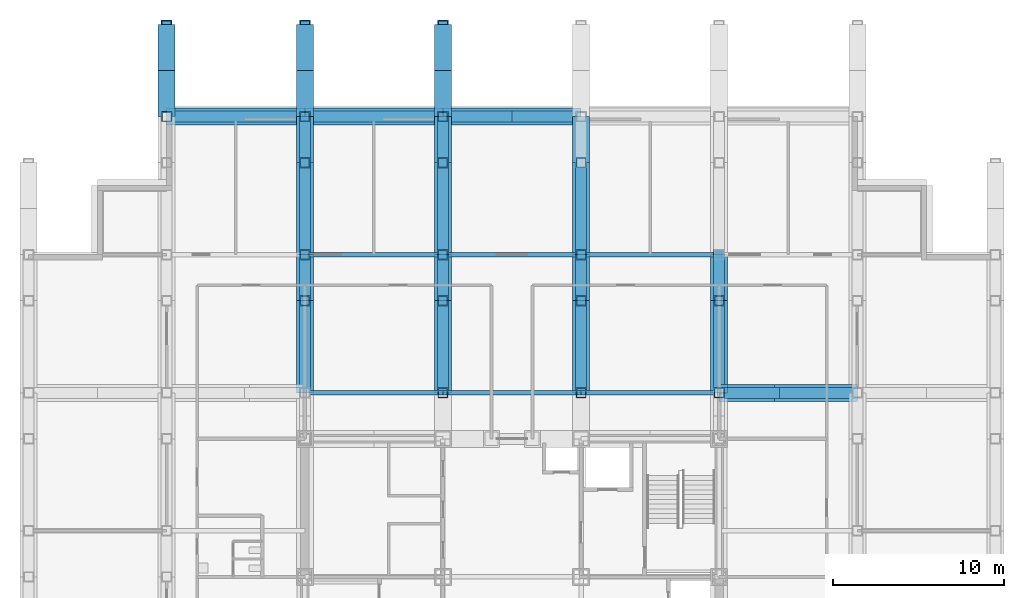
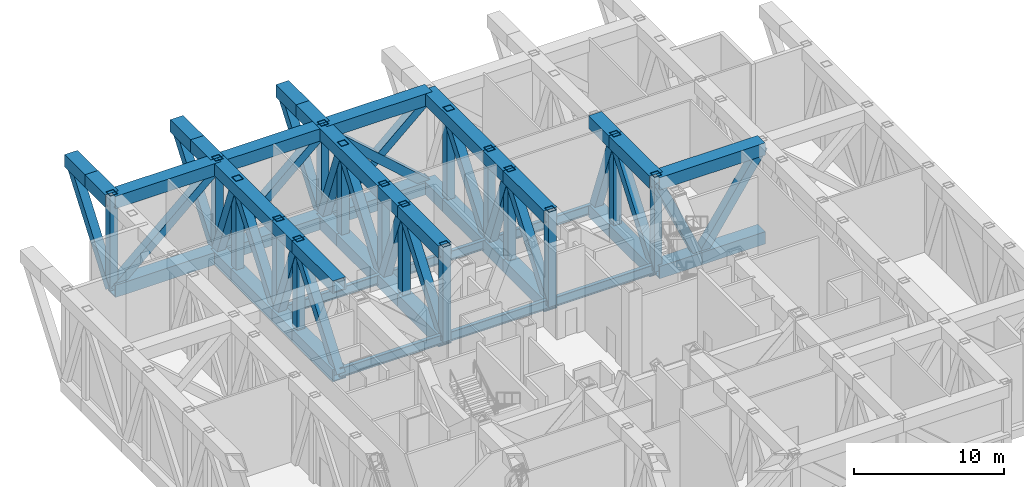
# One storey, part 5 of 13: 78 members, 6 beams.
"""IFC4 building model written with IfcOpenShell, lengths in metres."""

from ifc_helpers import new_model, si_unit, direction, frame, origin, origin_2d, place, context, subcontext, project, spatial, hollow_rectangle, i_section, extrude, material, material_profile, profile_set, type_object, element, save


model = new_model("IFC4")

# Units and contexts
model_context = context("Model", 3, precision=1e-05, world=origin(), true_north=direction((0.0, 1.0)))
body_context = subcontext(model_context, "Body", "Model", "MODEL_VIEW")
ifc_project = project(units=[si_unit("LENGTHUNIT", "METRE"), si_unit("AREAUNIT", "SQUARE_METRE"), si_unit("VOLUMEUNIT", "CUBIC_METRE"), si_unit("PLANEANGLEUNIT", "RADIAN"), si_unit("MASSUNIT", "GRAM", prefix="KILO")], contexts=[model_context])

# Site, building, storey
site_placement = place(None, origin())
site = spatial("IfcSite", under=ifc_project, at=site_placement, CompositionType="ELEMENT")
building_placement = place(site_placement, origin())
building = spatial("IfcBuilding", under=site, at=building_placement, Name="Kopane Lantern Tower", CompositionType="ELEMENT")
storey_placement = place(building_placement, frame((0.0, 0.0, 235.199951171875)))
storey = spatial("IfcBuildingStorey", under=building, at=storey_placement, Name="L61", CompositionType="ELEMENT", Elevation=235.199951171875)

# Beams
ifc_material_1 = material(Name="Steel S355JR", Category="steel")
ifc_material_profile_1 = material_profile(ifc_material_1, i_section(OverallWidth=0.2666015625, OverallDepth=0.76220703125, WebThickness=0.014404296875, FlangeThickness=0.021484375, FilletRadius=0.0166015625, at=origin_2d()), Name="UB 762x267x173")
ifc_profile_set_1 = profile_set([ifc_material_profile_1], Name="Steel S355JR")
beam_type = type_object("IfcBeamType", Name="GIRDER UB 762x267x173", PredefinedType="BEAM", material=ifc_profile_set_1)
for number, where, z_axis, x_axis, name in (
    (1, (16.199951171875, 43.199951171875, -0.631103515625), (1.0, 0.0, 0.0), (0.0, 1.0, 0.0), "Girder L61"),
    (2, (16.199951171875, 51.300048828125, -0.631103515625), (1.0, 0.0, 0.0), (0.0, 1.0, 0.0), "Girder L61"),
):
    element("IfcBeam", number, at=place(storey_placement, frame(where, z_axis=z_axis, x_axis=x_axis)), inside=storey, type_object=beam_type, Name=name, PredefinedType="BEAM", context=body_context, shape_type="SweptSolid", body=[
        extrude(i_section(OverallWidth=0.2666015625, OverallDepth=0.76220703125, WebThickness=0.014404296875, FlangeThickness=0.021484375, FilletRadius=0.0166015625, at=origin_2d()), origin(), (0.0, 0.0, 1.0), 8.10009765625),
    ])
for number, where, z_axis, x_axis, name in (
    (3, (24.300048828125, 43.199951171875, -0.631103515625), (1.0, 0.0, 0.0), (0.0, 1.0, 0.0), "Girder L61"),
    (4, (24.300048828125, 51.300048828125, -0.631103515625), (1.0, 0.0, 0.0), (0.0, 1.0, 0.0), "Girder L61"),
):
    element("IfcBeam", number, at=place(storey_placement, frame(where, z_axis=z_axis, x_axis=x_axis)), inside=storey, type_object=beam_type, Name=name, PredefinedType="BEAM", context=body_context, shape_type="SweptSolid", body=[
        extrude(i_section(OverallWidth=0.2666015625, OverallDepth=0.76220703125, WebThickness=0.014404296875, FlangeThickness=0.021484375, FilletRadius=0.0166015625, at=origin_2d()), origin(), (0.0, 0.0, 1.0), 8.099853515625),
    ])
for number, where, z_axis, x_axis, name in (
    (5, (32.39990234375, 43.199951171875, -0.631103515625), (1.0, 0.0, 0.0), (0.0, 1.0, 0.0), "Girder L61"),
    (6, (32.39990234375, 51.300048828125, -0.631103515625), (1.0, 0.0, 0.0), (0.0, 1.0, 0.0), "Girder L61"),
):
    element("IfcBeam", number, at=place(storey_placement, frame(where, z_axis=z_axis, x_axis=x_axis)), inside=storey, type_object=beam_type, Name=name, PredefinedType="BEAM", context=body_context, shape_type="SweptSolid", body=[
        extrude(i_section(OverallWidth=0.2666015625, OverallDepth=0.76220703125, WebThickness=0.014404296875, FlangeThickness=0.021484375, FilletRadius=0.0166015625, at=origin_2d()), origin(), (0.0, 0.0, 1.0), 8.10009765625),
    ])

# Members
ifc_material_2 = material(Name="Steel S355JR", Category="steel")
ifc_material_profile_2 = material_profile(ifc_material_2, hollow_rectangle(XDim=1.0, YDim=1.0, WallThickness=0.080078125, at=origin_2d()), Name="BOX 1000x1000x80")
ifc_profile_set_2 = profile_set([ifc_material_profile_2], Name="Steel S355JR")
member_type_1 = type_object("IfcMemberType", Name="TRUSS CHORD BOX 1000x1000x80", PredefinedType="CHORD", material=ifc_profile_set_2)
member_1_placement = place(storey_placement, frame((8.10009765625, 59.39990234375, 6.449951171875), z_axis=(0.0, 1.0, 0.0), x_axis=(-1.0, 0.0, 0.0)))
element("IfcMember", 7, at=member_1_placement, inside=storey, type_object=member_type_1, Name="Transfer truss 3 L61 truss chord", PredefinedType="CHORD", context=body_context, shape_type="SweptSolid", body=[
    extrude(hollow_rectangle(XDim=1.0, YDim=1.0, WallThickness=0.080078125, at=origin_2d()), origin(), (0.0, 0.0, 1.0), 2.7001953125),
])
member_2_placement = place(storey_placement, frame((8.10009765625, 62.10009765625, 6.449951171875), z_axis=(0.0, 1.0, 0.0), x_axis=(-1.0, 0.0, 0.0)))
element("IfcMember", 8, at=member_2_placement, inside=storey, type_object=member_type_1, Name="Transfer truss 3 L61 truss chord", PredefinedType="CHORD", context=body_context, shape_type="SweptSolid", body=[
    extrude(hollow_rectangle(XDim=1.0, YDim=1.0, WallThickness=0.080078125, at=origin_2d()), origin(), (0.0, 0.0, 1.0), 2.699951171875),
])
member_3_placement = place(storey_placement, frame((16.199951171875, 43.199951171875, -0.75), z_axis=(0.0, 1.0, 0.0), x_axis=(-1.0, 0.0, 0.0)))
element("IfcMember", 9, at=member_3_placement, inside=storey, type_object=member_type_1, Name="Transfer truss 4 L61 truss chord", PredefinedType="CHORD", context=body_context, shape_type="SweptSolid", body=[
    extrude(hollow_rectangle(XDim=1.0, YDim=1.0, WallThickness=0.080078125, at=origin_2d()), origin(), (0.0, 0.0, 1.0), 5.400146484375),
])
member_4_placement = place(storey_placement, frame((16.199951171875, 48.60009765625, -0.75), z_axis=(0.0, 1.0, 0.0), x_axis=(-1.0, 0.0, 0.0)))
element("IfcMember", 10, at=member_4_placement, inside=storey, type_object=member_type_1, Name="Transfer truss 4 L61 truss chord", PredefinedType="CHORD", context=body_context, shape_type="SweptSolid", body=[
    extrude(hollow_rectangle(XDim=1.0, YDim=1.0, WallThickness=0.080078125, at=origin_2d()), origin(), (0.0, 0.0, 1.0), 2.699951171875),
])
member_5_placement = place(storey_placement, frame((16.199951171875, 51.300048828125, -0.75), z_axis=(0.0, 1.0, 0.0), x_axis=(-1.0, 0.0, 0.0)))
element("IfcMember", 11, at=member_5_placement, inside=storey, type_object=member_type_1, Name="Transfer truss 4 L61 truss chord", PredefinedType="CHORD", context=body_context, shape_type="SweptSolid", body=[
    extrude(hollow_rectangle(XDim=1.0, YDim=1.0, WallThickness=0.080078125, at=origin_2d()), origin(), (0.0, 0.0, 1.0), 5.39990234375),
])
member_6_placement = place(storey_placement, frame((16.199951171875, 56.699951171875, -0.75), z_axis=(0.0, 1.0, 0.0), x_axis=(-1.0, 0.0, 0.0)))
element("IfcMember", 12, at=member_6_placement, inside=storey, type_object=member_type_1, Name="Transfer truss 4 L61 truss chord", PredefinedType="CHORD", context=body_context, shape_type="SweptSolid", body=[
    extrude(hollow_rectangle(XDim=1.0, YDim=1.0, WallThickness=0.080078125, at=origin_2d()), origin(), (0.0, 0.0, 1.0), 2.699951171875),
])
member_7_placement = place(storey_placement, frame((16.199951171875, 43.199951171875, 6.449951171875), z_axis=(0.0, 1.0, 0.0), x_axis=(-1.0, 0.0, 0.0)))
element("IfcMember", 13, at=member_7_placement, inside=storey, type_object=member_type_1, Name="Transfer truss 4 L61 truss chord", PredefinedType="CHORD", context=body_context, shape_type="SweptSolid", body=[
    extrude(hollow_rectangle(XDim=1.0, YDim=1.0, WallThickness=0.080078125, at=origin_2d()), origin(), (0.0, 0.0, 1.0), 5.400146484375),
])
member_8_placement = place(storey_placement, frame((16.199951171875, 48.60009765625, 6.449951171875), z_axis=(0.0, 1.0, 0.0), x_axis=(-1.0, 0.0, 0.0)))
element("IfcMember", 14, at=member_8_placement, inside=storey, type_object=member_type_1, Name="Transfer truss 4 L61 truss chord", PredefinedType="CHORD", context=body_context, shape_type="SweptSolid", body=[
    extrude(hollow_rectangle(XDim=1.0, YDim=1.0, WallThickness=0.080078125, at=origin_2d()), origin(), (0.0, 0.0, 1.0), 2.699951171875),
])
member_9_placement = place(storey_placement, frame((16.199951171875, 51.300048828125, 6.449951171875), z_axis=(0.0, 1.0, 0.0), x_axis=(-1.0, 0.0, 0.0)))
element("IfcMember", 15, at=member_9_placement, inside=storey, type_object=member_type_1, Name="Transfer truss 4 L61 truss chord", PredefinedType="CHORD", context=body_context, shape_type="SweptSolid", body=[
    extrude(hollow_rectangle(XDim=1.0, YDim=1.0, WallThickness=0.080078125, at=origin_2d()), origin(), (0.0, 0.0, 1.0), 8.099853515625),
])
member_10_placement = place(storey_placement, frame((16.199951171875, 59.39990234375, 6.449951171875), z_axis=(0.0, 1.0, 0.0), x_axis=(-1.0, 0.0, 0.0)))
element("IfcMember", 16, at=member_10_placement, inside=storey, type_object=member_type_1, Name="Transfer truss 4 L61 truss chord", PredefinedType="CHORD", context=body_context, shape_type="SweptSolid", body=[
    extrude(hollow_rectangle(XDim=1.0, YDim=1.0, WallThickness=0.080078125, at=origin_2d()), origin(), (0.0, 0.0, 1.0), 2.7001953125),
])
member_11_placement = place(storey_placement, frame((16.199951171875, 62.10009765625, 6.449951171875), z_axis=(0.0, 1.0, 0.0), x_axis=(-1.0, 0.0, 0.0)))
element("IfcMember", 17, at=member_11_placement, inside=storey, type_object=member_type_1, Name="Transfer truss 4 L61 truss chord", PredefinedType="CHORD", context=body_context, shape_type="SweptSolid", body=[
    extrude(hollow_rectangle(XDim=1.0, YDim=1.0, WallThickness=0.080078125, at=origin_2d()), origin(), (0.0, 0.0, 1.0), 2.699951171875),
])
member_12_placement = place(storey_placement, frame((24.300048828125, 43.199951171875, -0.75), z_axis=(0.0, 1.0, 0.0), x_axis=(-1.0, 0.0, 0.0)))
element("IfcMember", 18, at=member_12_placement, inside=storey, type_object=member_type_1, Name="Transfer truss 5 L61 truss chord", PredefinedType="CHORD", context=body_context, shape_type="SweptSolid", body=[
    extrude(hollow_rectangle(XDim=1.0, YDim=1.0, WallThickness=0.080078125, at=origin_2d()), origin(), (0.0, 0.0, 1.0), 5.400146484375),
])
member_13_placement = place(storey_placement, frame((24.300048828125, 48.60009765625, -0.75), z_axis=(0.0, 1.0, 0.0), x_axis=(-1.0, 0.0, 0.0)))
element("IfcMember", 19, at=member_13_placement, inside=storey, type_object=member_type_1, Name="Transfer truss 5 L61 truss chord", PredefinedType="CHORD", context=body_context, shape_type="SweptSolid", body=[
    extrude(hollow_rectangle(XDim=1.0, YDim=1.0, WallThickness=0.080078125, at=origin_2d()), origin(), (0.0, 0.0, 1.0), 2.699951171875),
])
member_14_placement = place(storey_placement, frame((24.300048828125, 51.300048828125, -0.75), z_axis=(0.0, 1.0, 0.0), x_axis=(-1.0, 0.0, 0.0)))
element("IfcMember", 20, at=member_14_placement, inside=storey, type_object=member_type_1, Name="Transfer truss 5 L61 truss chord", PredefinedType="CHORD", context=body_context, shape_type="SweptSolid", body=[
    extrude(hollow_rectangle(XDim=1.0, YDim=1.0, WallThickness=0.080078125, at=origin_2d()), origin(), (0.0, 0.0, 1.0), 5.39990234375),
])
member_15_placement = place(storey_placement, frame((24.300048828125, 56.699951171875, -0.75), z_axis=(0.0, 1.0, 0.0), x_axis=(-1.0, 0.0, 0.0)))
element("IfcMember", 21, at=member_15_placement, inside=storey, type_object=member_type_1, Name="Transfer truss 5 L61 truss chord", PredefinedType="CHORD", context=body_context, shape_type="SweptSolid", body=[
    extrude(hollow_rectangle(XDim=1.0, YDim=1.0, WallThickness=0.080078125, at=origin_2d()), origin(), (0.0, 0.0, 1.0), 2.699951171875),
])
member_16_placement = place(storey_placement, frame((24.300048828125, 43.199951171875, 6.449951171875), z_axis=(0.0, 1.0, 0.0), x_axis=(-1.0, 0.0, 0.0)))
element("IfcMember", 22, at=member_16_placement, inside=storey, type_object=member_type_1, Name="Transfer truss 5 L61 truss chord", PredefinedType="CHORD", context=body_context, shape_type="SweptSolid", body=[
    extrude(hollow_rectangle(XDim=1.0, YDim=1.0, WallThickness=0.080078125, at=origin_2d()), origin(), (0.0, 0.0, 1.0), 5.400146484375),
])
member_17_placement = place(storey_placement, frame((24.300048828125, 48.60009765625, 6.449951171875), z_axis=(0.0, 1.0, 0.0), x_axis=(-1.0, 0.0, 0.0)))
element("IfcMember", 23, at=member_17_placement, inside=storey, type_object=member_type_1, Name="Transfer truss 5 L61 truss chord", PredefinedType="CHORD", context=body_context, shape_type="SweptSolid", body=[
    extrude(hollow_rectangle(XDim=1.0, YDim=1.0, WallThickness=0.080078125, at=origin_2d()), origin(), (0.0, 0.0, 1.0), 2.699951171875),
])
member_18_placement = place(storey_placement, frame((24.300048828125, 51.300048828125, 6.449951171875), z_axis=(0.0, 1.0, 0.0), x_axis=(-1.0, 0.0, 0.0)))
element("IfcMember", 24, at=member_18_placement, inside=storey, type_object=member_type_1, Name="Transfer truss 5 L61 truss chord", PredefinedType="CHORD", context=body_context, shape_type="SweptSolid", body=[
    extrude(hollow_rectangle(XDim=1.0, YDim=1.0, WallThickness=0.080078125, at=origin_2d()), origin(), (0.0, 0.0, 1.0), 8.099853515625),
])
member_19_placement = place(storey_placement, frame((24.300048828125, 59.39990234375, 6.449951171875), z_axis=(0.0, 1.0, 0.0), x_axis=(-1.0, 0.0, 0.0)))
element("IfcMember", 25, at=member_19_placement, inside=storey, type_object=member_type_1, Name="Transfer truss 5 L61 truss chord", PredefinedType="CHORD", context=body_context, shape_type="SweptSolid", body=[
    extrude(hollow_rectangle(XDim=1.0, YDim=1.0, WallThickness=0.080078125, at=origin_2d()), origin(), (0.0, 0.0, 1.0), 2.7001953125),
])
member_20_placement = place(storey_placement, frame((24.300048828125, 62.10009765625, 6.449951171875), z_axis=(0.0, 1.0, 0.0), x_axis=(-1.0, 0.0, 0.0)))
element("IfcMember", 26, at=member_20_placement, inside=storey, type_object=member_type_1, Name="Transfer truss 5 L61 truss chord", PredefinedType="CHORD", context=body_context, shape_type="SweptSolid", body=[
    extrude(hollow_rectangle(XDim=1.0, YDim=1.0, WallThickness=0.080078125, at=origin_2d()), origin(), (0.0, 0.0, 1.0), 2.699951171875),
])
member_21_placement = place(storey_placement, frame((32.39990234375, 43.199951171875, -0.75), z_axis=(0.0, 1.0, 0.0), x_axis=(-1.0, 0.0, 0.0)))
element("IfcMember", 27, at=member_21_placement, inside=storey, type_object=member_type_1, Name="Transfer truss 6 L61 truss chord", PredefinedType="CHORD", context=body_context, shape_type="SweptSolid", body=[
    extrude(hollow_rectangle(XDim=1.0, YDim=1.0, WallThickness=0.080078125, at=origin_2d()), origin(), (0.0, 0.0, 1.0), 5.400146484375),
])
member_22_placement = place(storey_placement, frame((32.39990234375, 48.60009765625, -0.75), z_axis=(0.0, 1.0, 0.0), x_axis=(-1.0, 0.0, 0.0)))
element("IfcMember", 28, at=member_22_placement, inside=storey, type_object=member_type_1, Name="Transfer truss 6 L61 truss chord", PredefinedType="CHORD", context=body_context, shape_type="SweptSolid", body=[
    extrude(hollow_rectangle(XDim=1.0, YDim=1.0, WallThickness=0.080078125, at=origin_2d()), origin(), (0.0, 0.0, 1.0), 2.699951171875),
])
member_23_placement = place(storey_placement, frame((32.39990234375, 51.300048828125, -0.75), z_axis=(0.0, 1.0, 0.0), x_axis=(-1.0, 0.0, 0.0)))
element("IfcMember", 29, at=member_23_placement, inside=storey, type_object=member_type_1, Name="Transfer truss 6 L61 truss chord", PredefinedType="CHORD", context=body_context, shape_type="SweptSolid", body=[
    extrude(hollow_rectangle(XDim=1.0, YDim=1.0, WallThickness=0.080078125, at=origin_2d()), origin(), (0.0, 0.0, 1.0), 5.39990234375),
])
member_24_placement = place(storey_placement, frame((32.39990234375, 56.699951171875, -0.75), z_axis=(0.0, 1.0, 0.0), x_axis=(-1.0, 0.0, 0.0)))
element("IfcMember", 30, at=member_24_placement, inside=storey, type_object=member_type_1, Name="Transfer truss 6 L61 truss chord", PredefinedType="CHORD", context=body_context, shape_type="SweptSolid", body=[
    extrude(hollow_rectangle(XDim=1.0, YDim=1.0, WallThickness=0.080078125, at=origin_2d()), origin(), (0.0, 0.0, 1.0), 2.699951171875),
])
member_25_placement = place(storey_placement, frame((32.39990234375, 43.199951171875, 6.449951171875), z_axis=(0.0, 1.0, 0.0), x_axis=(-1.0, 0.0, 0.0)))
element("IfcMember", 31, at=member_25_placement, inside=storey, type_object=member_type_1, Name="Transfer truss 6 L61 truss chord", PredefinedType="CHORD", context=body_context, shape_type="SweptSolid", body=[
    extrude(hollow_rectangle(XDim=1.0, YDim=1.0, WallThickness=0.080078125, at=origin_2d()), origin(), (0.0, 0.0, 1.0), 5.400146484375),
])
member_26_placement = place(storey_placement, frame((32.39990234375, 48.60009765625, 6.449951171875), z_axis=(0.0, 1.0, 0.0), x_axis=(-1.0, 0.0, 0.0)))
element("IfcMember", 32, at=member_26_placement, inside=storey, type_object=member_type_1, Name="Transfer truss 6 L61 truss chord", PredefinedType="CHORD", context=body_context, shape_type="SweptSolid", body=[
    extrude(hollow_rectangle(XDim=1.0, YDim=1.0, WallThickness=0.080078125, at=origin_2d()), origin(), (0.0, 0.0, 1.0), 2.699951171875),
])
member_27_placement = place(storey_placement, frame((32.39990234375, 51.300048828125, 6.449951171875), z_axis=(0.0, 1.0, 0.0), x_axis=(-1.0, 0.0, 0.0)))
element("IfcMember", 33, at=member_27_placement, inside=storey, type_object=member_type_1, Name="Transfer truss 6 L61 truss chord", PredefinedType="CHORD", context=body_context, shape_type="SweptSolid", body=[
    extrude(hollow_rectangle(XDim=1.0, YDim=1.0, WallThickness=0.080078125, at=origin_2d()), origin(), (0.0, 0.0, 1.0), 8.099853515625),
])
member_28_placement = place(storey_placement, frame((40.5, 43.199951171875, -0.75), z_axis=(0.0, 1.0, 0.0), x_axis=(-1.0, 0.0, 0.0)))
element("IfcMember", 34, at=member_28_placement, inside=storey, type_object=member_type_1, Name="Transfer truss 7 L61 truss chord", PredefinedType="CHORD", context=body_context, shape_type="SweptSolid", body=[
    extrude(hollow_rectangle(XDim=1.0, YDim=1.0, WallThickness=0.080078125, at=origin_2d()), origin(), (0.0, 0.0, 1.0), 5.400146484375),
])
member_29_placement = place(storey_placement, frame((40.5, 48.60009765625, -0.75), z_axis=(0.0, 1.0, 0.0), x_axis=(-1.0, 0.0, 0.0)))
element("IfcMember", 35, at=member_29_placement, inside=storey, type_object=member_type_1, Name="Transfer truss 7 L61 truss chord", PredefinedType="CHORD", context=body_context, shape_type="SweptSolid", body=[
    extrude(hollow_rectangle(XDim=1.0, YDim=1.0, WallThickness=0.080078125, at=origin_2d()), origin(), (0.0, 0.0, 1.0), 2.699951171875),
])
member_30_placement = place(storey_placement, frame((40.5, 43.199951171875, 6.449951171875), z_axis=(0.0, 1.0, 0.0), x_axis=(-1.0, 0.0, 0.0)))
element("IfcMember", 36, at=member_30_placement, inside=storey, type_object=member_type_1, Name="Transfer truss 7 L61 truss chord", PredefinedType="CHORD", context=body_context, shape_type="SweptSolid", body=[
    extrude(hollow_rectangle(XDim=1.0, YDim=1.0, WallThickness=0.080078125, at=origin_2d()), origin(), (0.0, 0.0, 1.0), 5.400146484375),
])
member_31_placement = place(storey_placement, frame((40.5, 48.60009765625, 6.449951171875), z_axis=(0.0, 1.0, 0.0), x_axis=(-1.0, 0.0, 0.0)))
element("IfcMember", 37, at=member_31_placement, inside=storey, type_object=member_type_1, Name="Transfer truss 7 L61 truss chord", PredefinedType="CHORD", context=body_context, shape_type="SweptSolid", body=[
    extrude(hollow_rectangle(XDim=1.0, YDim=1.0, WallThickness=0.080078125, at=origin_2d()), origin(), (0.0, 0.0, 1.0), 2.699951171875),
])
for number, where, z_axis, x_axis, name in (
    (38, (8.10009765625, 59.39990234375, -0.75), (1.0, 0.0, 0.0), (0.0, 1.0, 0.0), "Belt truss N L61 truss chord"),
    (39, (8.10009765625, 59.39990234375, 6.449951171875), (1.0, 0.0, 0.0), (0.0, 1.0, 0.0), "Belt truss N L61 truss chord"),
):
    element("IfcMember", number, at=place(storey_placement, frame(where, z_axis=z_axis, x_axis=x_axis)), inside=storey, type_object=member_type_1, Name=name, PredefinedType="CHORD", context=body_context, shape_type="SweptSolid", body=[
        extrude(hollow_rectangle(XDim=1.0, YDim=1.0, WallThickness=0.080078125, at=origin_2d()), origin(), (0.0, 0.0, 1.0), 8.099853515625),
    ])
for number, where, z_axis, x_axis, name in (
    (40, (16.199951171875, 59.39990234375, -0.75), (1.0, 0.0, 0.0), (0.0, 1.0, 0.0), "Belt truss N L61 truss chord"),
    (41, (16.199951171875, 59.39990234375, 6.449951171875), (1.0, 0.0, 0.0), (0.0, 1.0, 0.0), "Belt truss N L61 truss chord"),
):
    element("IfcMember", number, at=place(storey_placement, frame(where, z_axis=z_axis, x_axis=x_axis)), inside=storey, type_object=member_type_1, Name=name, PredefinedType="CHORD", context=body_context, shape_type="SweptSolid", body=[
        extrude(hollow_rectangle(XDim=1.0, YDim=1.0, WallThickness=0.080078125, at=origin_2d()), origin(), (0.0, 0.0, 1.0), 8.10009765625),
    ])
for number, where, z_axis, x_axis, name in (
    (42, (24.300048828125, 59.39990234375, -0.75), (1.0, 0.0, 0.0), (0.0, 1.0, 0.0), "Belt truss N L61 truss chord"),
    (43, (24.300048828125, 59.39990234375, 6.449951171875), (1.0, 0.0, 0.0), (0.0, 1.0, 0.0), "Belt truss N L61 truss chord"),
):
    element("IfcMember", number, at=place(storey_placement, frame(where, z_axis=z_axis, x_axis=x_axis)), inside=storey, type_object=member_type_1, Name=name, PredefinedType="CHORD", context=body_context, shape_type="SweptSolid", body=[
        extrude(hollow_rectangle(XDim=1.0, YDim=1.0, WallThickness=0.080078125, at=origin_2d()), origin(), (0.0, 0.0, 1.0), 8.099853515625),
    ])
member_32_placement = place(storey_placement, frame((48.60009765625, 43.199951171875, -0.75), z_axis=(-1.0, 0.0, 0.0), x_axis=(0.0, -1.0, 0.0)))
element("IfcMember", 44, at=member_32_placement, inside=storey, type_object=member_type_1, Name="Outrigger truss E43.2 L61 truss chord", PredefinedType="CHORD", context=body_context, shape_type="SweptSolid", body=[
    extrude(hollow_rectangle(XDim=1.0, YDim=1.0, WallThickness=0.080078125, at=origin_2d()), origin(), (0.0, 0.0, 1.0), 4.860107421875),
])
member_33_placement = place(storey_placement, frame((43.739990234375, 43.199951171875, -0.75), z_axis=(-1.0, 0.0, 0.0), x_axis=(0.0, -1.0, 0.0)))
element("IfcMember", 45, at=member_33_placement, inside=storey, type_object=member_type_1, Name="Outrigger truss E43.2 L61 truss chord", PredefinedType="CHORD", context=body_context, shape_type="SweptSolid", body=[
    extrude(hollow_rectangle(XDim=1.0, YDim=1.0, WallThickness=0.080078125, at=origin_2d()), origin(), (0.0, 0.0, 1.0), 3.239990234375),
])
member_34_placement = place(storey_placement, frame((48.60009765625, 43.199951171875, 6.449951171875), z_axis=(-1.0, 0.0, 0.0), x_axis=(0.0, -1.0, 0.0)))
element("IfcMember", 46, at=member_34_placement, inside=storey, type_object=member_type_1, Name="Outrigger truss E43.2 L61 truss chord", PredefinedType="CHORD", context=body_context, shape_type="SweptSolid", body=[
    extrude(hollow_rectangle(XDim=1.0, YDim=1.0, WallThickness=0.080078125, at=origin_2d()), origin(), (0.0, 0.0, 1.0), 8.10009765625),
])
ifc_material_3 = material(Name="Steel S355JR", Category="steel")
ifc_material_profile_3 = material_profile(ifc_material_3, hollow_rectangle(XDim=0.64990234375, YDim=0.64990234375, WallThickness=0.06005859375, at=origin_2d()), Name="BOX 650x650x60")
ifc_profile_set_3 = profile_set([ifc_material_profile_3], Name="Steel S355JR")
member_type_2 = type_object("IfcMemberType", Name="TRUSS DIAGONAL BOX 650x650x60", PredefinedType="BRACE", material=ifc_profile_set_3)
for number, where, z_axis, x_axis, name in (
    (47, (8.10009765625, 59.39990234375, -0.75), (0.0, 0.600013020683, 0.799990234322), (-1.0, 0.0, 0.0), "Transfer truss 3 L61 truss diagonal"),
    (48, (16.199951171875, 43.199951171875, -0.75), (0.0, 0.600013020683, 0.799990234322), (-1.0, 0.0, 0.0), "Transfer truss 4 L61 truss diagonal"),
):
    element("IfcMember", number, at=place(storey_placement, frame(where, z_axis=z_axis, x_axis=x_axis)), inside=storey, type_object=member_type_2, Name=name, PredefinedType="BRACE", context=body_context, shape_type="SweptSolid", body=[
        extrude(hollow_rectangle(XDim=0.64990234375, YDim=0.64990234375, WallThickness=0.06005859375, at=origin_2d()), origin(), (0.0, 0.0, 1.0), 9.0),
    ])
member_35_placement = place(storey_placement, frame((16.199951171875, 51.300048828125, -0.75), z_axis=(0.0, -0.351119962166, 0.936330482345), x_axis=(1.0, 0.0, 0.0)))
element("IfcMember", 49, at=member_35_placement, inside=storey, type_object=member_type_2, Name="Transfer truss 4 L61 truss diagonal", PredefinedType="BRACE", context=body_context, shape_type="SweptSolid", body=[
    extrude(hollow_rectangle(XDim=0.64990234375, YDim=0.64990234375, WallThickness=0.06005859375, at=origin_2d()), origin(), (0.0, 0.0, 1.0), 7.689453125),
])
member_36_placement = place(storey_placement, frame((16.199951171875, 51.300048828125, -0.75), z_axis=(0.0, 0.599995659666, 0.800003255232), x_axis=(-1.0, 0.0, 0.0)))
element("IfcMember", 50, at=member_36_placement, inside=storey, type_object=member_type_2, Name="Transfer truss 4 L61 truss diagonal", PredefinedType="BRACE", context=body_context, shape_type="SweptSolid", body=[
    extrude(hollow_rectangle(XDim=0.64990234375, YDim=0.64990234375, WallThickness=0.06005859375, at=origin_2d()), origin(), (0.0, 0.0, 1.0), 9.0),
])
member_37_placement = place(storey_placement, frame((16.199951171875, 59.39990234375, -0.75), z_axis=(0.0, -0.351119962166, 0.936330482345), x_axis=(1.0, 0.0, 0.0)))
element("IfcMember", 51, at=member_37_placement, inside=storey, type_object=member_type_2, Name="Transfer truss 4 L61 truss diagonal", PredefinedType="BRACE", context=body_context, shape_type="SweptSolid", body=[
    extrude(hollow_rectangle(XDim=0.64990234375, YDim=0.64990234375, WallThickness=0.06005859375, at=origin_2d()), origin(), (0.0, 0.0, 1.0), 7.689453125),
])
for number, where, z_axis, x_axis, name in (
    (52, (16.199951171875, 59.39990234375, -0.75), (0.0, 0.600013020683, 0.799990234322), (-1.0, 0.0, 0.0), "Transfer truss 4 L61 truss diagonal"),
    (53, (24.300048828125, 43.199951171875, -0.75), (0.0, 0.600013020683, 0.799990234322), (-1.0, 0.0, 0.0), "Transfer truss 5 L61 truss diagonal"),
):
    element("IfcMember", number, at=place(storey_placement, frame(where, z_axis=z_axis, x_axis=x_axis)), inside=storey, type_object=member_type_2, Name=name, PredefinedType="BRACE", context=body_context, shape_type="SweptSolid", body=[
        extrude(hollow_rectangle(XDim=0.64990234375, YDim=0.64990234375, WallThickness=0.06005859375, at=origin_2d()), origin(), (0.0, 0.0, 1.0), 9.0),
    ])
member_38_placement = place(storey_placement, frame((24.300048828125, 51.300048828125, -0.75), z_axis=(0.0, -0.351119962166, 0.936330482345), x_axis=(1.0, 0.0, 0.0)))
element("IfcMember", 54, at=member_38_placement, inside=storey, type_object=member_type_2, Name="Transfer truss 5 L61 truss diagonal", PredefinedType="BRACE", context=body_context, shape_type="SweptSolid", body=[
    extrude(hollow_rectangle(XDim=0.64990234375, YDim=0.64990234375, WallThickness=0.06005859375, at=origin_2d()), origin(), (0.0, 0.0, 1.0), 7.689453125),
])
member_39_placement = place(storey_placement, frame((24.300048828125, 51.300048828125, -0.75), z_axis=(0.0, 0.599995659666, 0.800003255232), x_axis=(-1.0, 0.0, 0.0)))
element("IfcMember", 55, at=member_39_placement, inside=storey, type_object=member_type_2, Name="Transfer truss 5 L61 truss diagonal", PredefinedType="BRACE", context=body_context, shape_type="SweptSolid", body=[
    extrude(hollow_rectangle(XDim=0.64990234375, YDim=0.64990234375, WallThickness=0.06005859375, at=origin_2d()), origin(), (0.0, 0.0, 1.0), 9.0),
])
member_40_placement = place(storey_placement, frame((24.300048828125, 59.39990234375, -0.75), z_axis=(0.0, -0.351119962166, 0.936330482345), x_axis=(1.0, 0.0, 0.0)))
element("IfcMember", 56, at=member_40_placement, inside=storey, type_object=member_type_2, Name="Transfer truss 5 L61 truss diagonal", PredefinedType="BRACE", context=body_context, shape_type="SweptSolid", body=[
    extrude(hollow_rectangle(XDim=0.64990234375, YDim=0.64990234375, WallThickness=0.06005859375, at=origin_2d()), origin(), (0.0, 0.0, 1.0), 7.689453125),
])
for number, where, z_axis, x_axis, name in (
    (57, (24.300048828125, 59.39990234375, -0.75), (0.0, 0.600013020683, 0.799990234322), (-1.0, 0.0, 0.0), "Transfer truss 5 L61 truss diagonal"),
    (58, (32.39990234375, 43.199951171875, -0.75), (0.0, 0.600013020683, 0.799990234322), (-1.0, 0.0, 0.0), "Transfer truss 6 L61 truss diagonal"),
):
    element("IfcMember", number, at=place(storey_placement, frame(where, z_axis=z_axis, x_axis=x_axis)), inside=storey, type_object=member_type_2, Name=name, PredefinedType="BRACE", context=body_context, shape_type="SweptSolid", body=[
        extrude(hollow_rectangle(XDim=0.64990234375, YDim=0.64990234375, WallThickness=0.06005859375, at=origin_2d()), origin(), (0.0, 0.0, 1.0), 9.0),
    ])
member_41_placement = place(storey_placement, frame((32.39990234375, 51.300048828125, -0.75), z_axis=(0.0, -0.351119962166, 0.936330482345), x_axis=(1.0, 0.0, 0.0)))
element("IfcMember", 59, at=member_41_placement, inside=storey, type_object=member_type_2, Name="Transfer truss 6 L61 truss diagonal", PredefinedType="BRACE", context=body_context, shape_type="SweptSolid", body=[
    extrude(hollow_rectangle(XDim=0.64990234375, YDim=0.64990234375, WallThickness=0.06005859375, at=origin_2d()), origin(), (0.0, 0.0, 1.0), 7.689453125),
])
for number, where, z_axis, x_axis, name in (
    (60, (32.39990234375, 51.300048828125, -0.75), (0.0, 0.599995659666, 0.800003255232), (-1.0, 0.0, 0.0), "Transfer truss 6 L61 truss diagonal"),
    (61, (40.5, 43.199951171875, -0.75), (0.0, 0.600013020683, 0.799990234322), (-1.0, 0.0, 0.0), "Transfer truss 7 L61 truss diagonal"),
):
    element("IfcMember", number, at=place(storey_placement, frame(where, z_axis=z_axis, x_axis=x_axis)), inside=storey, type_object=member_type_2, Name=name, PredefinedType="BRACE", context=body_context, shape_type="SweptSolid", body=[
        extrude(hollow_rectangle(XDim=0.64990234375, YDim=0.64990234375, WallThickness=0.06005859375, at=origin_2d()), origin(), (0.0, 0.0, 1.0), 9.0),
    ])
member_42_placement = place(storey_placement, frame((40.5, 51.300048828125, -0.75), z_axis=(0.0, -0.351119962166, 0.936330482345), x_axis=(1.0, 0.0, 0.0)))
element("IfcMember", 62, at=member_42_placement, inside=storey, type_object=member_type_2, Name="Transfer truss 7 L61 truss diagonal", PredefinedType="BRACE", context=body_context, shape_type="SweptSolid", body=[
    extrude(hollow_rectangle(XDim=0.64990234375, YDim=0.64990234375, WallThickness=0.06005859375, at=origin_2d()), origin(), (0.0, 0.0, 1.0), 7.689453125),
])
for number, where, z_axis, x_axis, name in (
    (63, (8.10009765625, 59.39990234375, -0.75), (0.747405589929, 0.0, 0.664368033655), (0.0, 1.0, 0.0), "Belt truss N L61 truss diagonal"),
    (64, (16.199951171875, 59.39990234375, -0.75), (0.747415533118, 0.0, 0.664356847525), (0.0, 1.0, 0.0), "Belt truss N L61 truss diagonal"),
    (65, (24.300048828125, 59.39990234375, -0.75), (0.747405589929, 0.0, 0.664368033655), (0.0, 1.0, 0.0), "Belt truss N L61 truss diagonal"),
    (66, (32.39990234375, 59.39990234375, -0.75), (-0.747405589929, 0.0, 0.664368033655), (0.0, -1.0, 0.0), "Belt truss N L61 truss diagonal"),
):
    element("IfcMember", number, at=place(storey_placement, frame(where, z_axis=z_axis, x_axis=x_axis)), inside=storey, type_object=member_type_2, Name=name, PredefinedType="BRACE", context=body_context, shape_type="SweptSolid", body=[
        extrude(hollow_rectangle(XDim=0.64990234375, YDim=0.64990234375, WallThickness=0.06005859375, at=origin_2d()), origin(), (0.0, 0.0, 1.0), 10.83740234375),
    ])
member_43_placement = place(storey_placement, frame((48.60009765625, 43.199951171875, 6.449951171875), z_axis=(-0.559483956924, 0.0, -0.82884118017), x_axis=(0.0, -1.0, 0.0)))
element("IfcMember", 67, at=member_43_placement, inside=storey, type_object=member_type_2, Name="Outrigger truss E43.2 L61 truss diagonal", PredefinedType="BRACE", context=body_context, shape_type="SweptSolid", body=[
    extrude(hollow_rectangle(XDim=0.64990234375, YDim=0.64990234375, WallThickness=0.06005859375, at=origin_2d()), origin(), (0.0, 0.0, 1.0), 8.686767578125),
])
member_44_placement = place(storey_placement, frame((40.5, 43.199951171875, 6.449951171875), z_axis=(0.410365963067, 0.0, -0.911920926592), x_axis=(0.0, 1.0, 0.0)))
element("IfcMember", 68, at=member_44_placement, inside=storey, type_object=member_type_2, Name="Outrigger truss E43.2 L61 truss diagonal", PredefinedType="BRACE", context=body_context, shape_type="SweptSolid", body=[
    extrude(hollow_rectangle(XDim=0.64990234375, YDim=0.64990234375, WallThickness=0.06005859375, at=origin_2d()), origin(), (0.0, 0.0, 1.0), 7.895263671875),
])
ifc_material_4 = material(Name="Steel S355JR", Category="steel")
ifc_material_profile_4 = material_profile(ifc_material_4, hollow_rectangle(XDim=0.60009765625, YDim=0.60009765625, WallThickness=0.050048828125, at=origin_2d()), Name="BOX 600x600x50")
ifc_profile_set_4 = profile_set([ifc_material_profile_4], Name="Steel S355JR")
member_type_3 = type_object("IfcMemberType", Name="TRUSS POST BOX 600x600x50", PredefinedType="POST", material=ifc_profile_set_4)
for number, where, z_axis, x_axis, name in (
    (69, (8.10009765625, 59.39990234375, -0.75), (0.0, 0.0, 1.0), (1.0, 0.0, 0.0), "Transfer truss 3 L61 truss post"),
    (70, (16.199951171875, 48.60009765625, -0.75), (0.0, 0.0, 1.0), (1.0, 0.0, 0.0), "Transfer truss 4 L61 truss post"),
    (71, (16.199951171875, 51.300048828125, -0.75), (0.0, 0.0, 1.0), (1.0, 0.0, 0.0), "Transfer truss 4 L61 truss post"),
    (72, (16.199951171875, 56.699951171875, -0.75), (0.0, 0.0, 1.0), (1.0, 0.0, 0.0), "Transfer truss 4 L61 truss post"),
    (73, (16.199951171875, 59.39990234375, -0.75), (0.0, 0.0, 1.0), (1.0, 0.0, 0.0), "Transfer truss 4 L61 truss post"),
    (74, (24.300048828125, 43.199951171875, -0.75), (0.0, 0.0, 1.0), (1.0, 0.0, 0.0), "Transfer truss 5 L61 truss post"),
    (75, (24.300048828125, 48.60009765625, -0.75), (0.0, 0.0, 1.0), (1.0, 0.0, 0.0), "Transfer truss 5 L61 truss post"),
    (76, (24.300048828125, 51.300048828125, -0.75), (0.0, 0.0, 1.0), (1.0, 0.0, 0.0), "Transfer truss 5 L61 truss post"),
    (77, (24.300048828125, 56.699951171875, -0.75), (0.0, 0.0, 1.0), (1.0, 0.0, 0.0), "Transfer truss 5 L61 truss post"),
    (78, (24.300048828125, 59.39990234375, -0.75), (0.0, 0.0, 1.0), (1.0, 0.0, 0.0), "Transfer truss 5 L61 truss post"),
    (79, (32.39990234375, 43.199951171875, -0.75), (0.0, 0.0, 1.0), (1.0, 0.0, 0.0), "Transfer truss 6 L61 truss post"),
    (80, (32.39990234375, 48.60009765625, -0.75), (0.0, 0.0, 1.0), (1.0, 0.0, 0.0), "Transfer truss 6 L61 truss post"),
    (81, (32.39990234375, 51.300048828125, -0.75), (0.0, 0.0, 1.0), (1.0, 0.0, 0.0), "Transfer truss 6 L61 truss post"),
    (82, (32.39990234375, 56.699951171875, -0.75), (0.0, 0.0, 1.0), (1.0, 0.0, 0.0), "Transfer truss 6 L61 truss post"),
    (83, (40.5, 43.199951171875, -0.75), (0.0, 0.0, 1.0), (1.0, 0.0, 0.0), "Transfer truss 7 L61 truss post"),
    (84, (40.5, 48.60009765625, -0.75), (0.0, 0.0, 1.0), (1.0, 0.0, 0.0), "Transfer truss 7 L61 truss post"),
):
    element("IfcMember", number, at=place(storey_placement, frame(where, z_axis=z_axis, x_axis=x_axis)), inside=storey, type_object=member_type_3, Name=name, PredefinedType="POST", context=body_context, shape_type="SweptSolid", body=[
        extrude(hollow_rectangle(XDim=0.60009765625, YDim=0.60009765625, WallThickness=0.050048828125, at=origin_2d()), origin(), (0.0, 0.0, 1.0), 7.699951171875),
    ])

save(model, "model.ifc")
